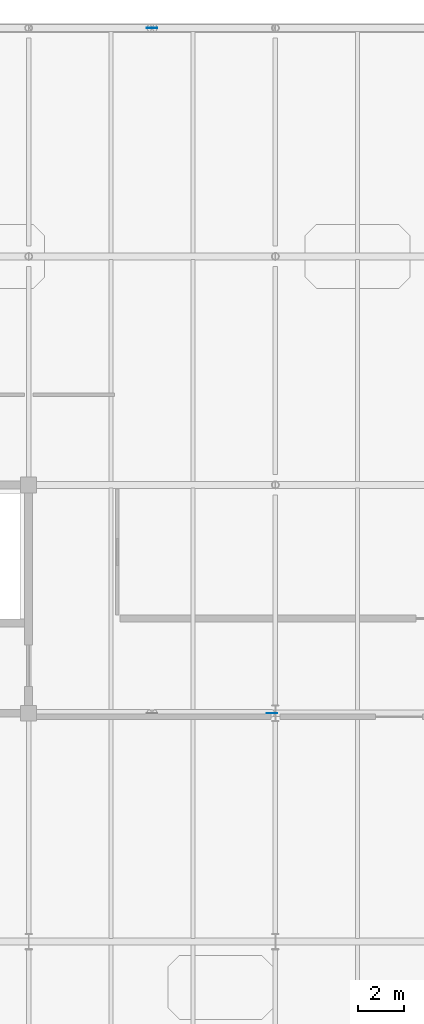
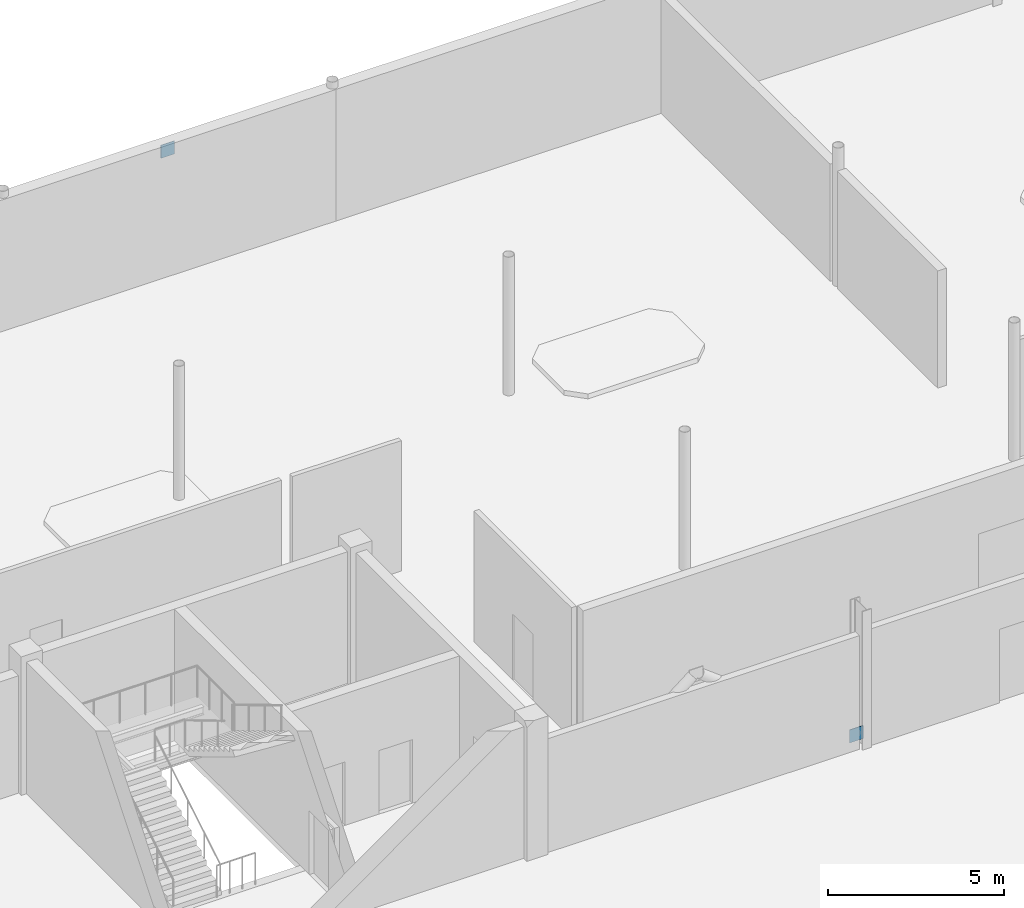
# One storey, part 71 of 92: 2 plates.
"""IFC4 building model written with IfcOpenShell, lengths in metres."""

from ifc_helpers import new_model, si_unit, direction, frame, origin, origin_2d, place, context, subcontext, project, spatial, rectangle, extrude, material, layer, layer_set, type_object, element, save


model = new_model("IFC4")

# Units and contexts
model_context = context("Model", 3, precision=1e-05, world=origin(), true_north=direction((0.0, 1.0)))
body_context = subcontext(model_context, "Body", "Model", "MODEL_VIEW")
ifc_project = project(units=[si_unit("LENGTHUNIT", "METRE"), si_unit("AREAUNIT", "SQUARE_METRE"), si_unit("VOLUMEUNIT", "CUBIC_METRE"), si_unit("PLANEANGLEUNIT", "RADIAN"), si_unit("MASSUNIT", "GRAM", prefix="KILO")], contexts=[model_context])

# Site, building, storey
site_placement = place(None, origin())
site = spatial("IfcSite", under=ifc_project, at=site_placement, CompositionType="ELEMENT")
building_placement = place(site_placement, origin())
building = spatial("IfcBuilding", under=site, at=building_placement, Name="Tasgan Crest Museum", CompositionType="ELEMENT")
storey_placement = place(building_placement, frame((0.0, 0.0, 4.800048828125)))
storey = spatial("IfcBuildingStorey", under=building, at=storey_placement, Name="L01", CompositionType="ELEMENT", Elevation=4.800048828125)

# Plates
ifc_material = material(Name="Steel S355K2", Category="steel")
ifc_layer = layer(ifc_material, 0.02001953125, Name="PL-GUSSET-450")
ifc_layer_set = layer_set([ifc_layer], Name="Steel S355K2")
plate_type = type_object("IfcPlateType", Name="PL-GUSSET-450", PredefinedType="USERDEFINED", material=ifc_layer_set)
for number, where, z_axis, x_axis, name in (
    (1, (27.0, 112.0, 4.02490234375), (0.0, 0.0, 1.0), (1.0, 0.0, 0.0), "Chevron gusset plate L01 M 27.0"),
    (2, (32.25, 82.0, 0.125), (0.0, 0.0, 1.0), (1.0, 0.0, 0.0), "Gusset plate Chevron brace R L01 J 32.4 end A"),
):
    element("IfcPlate", number, at=place(storey_placement, frame(where, z_axis=z_axis, x_axis=x_axis)), inside=storey, type_object=plate_type, Name=name, ObjectType="GUSSET PLATE", PredefinedType="USERDEFINED", context=body_context, shape_type="SweptSolid", body=[
        extrude(rectangle(XDim=0.449951171875, YDim=0.02001953125, at=origin_2d()), origin(), (0.0, 0.0, 1.0), 0.449951171875),
    ])

save(model, "model.ifc")
